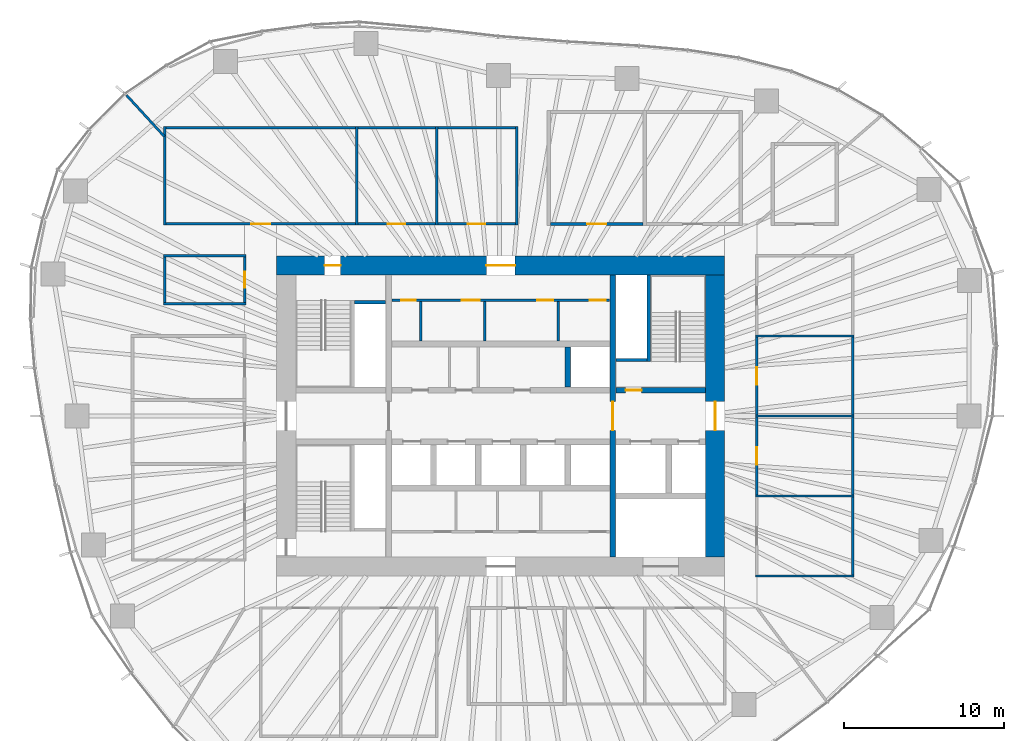
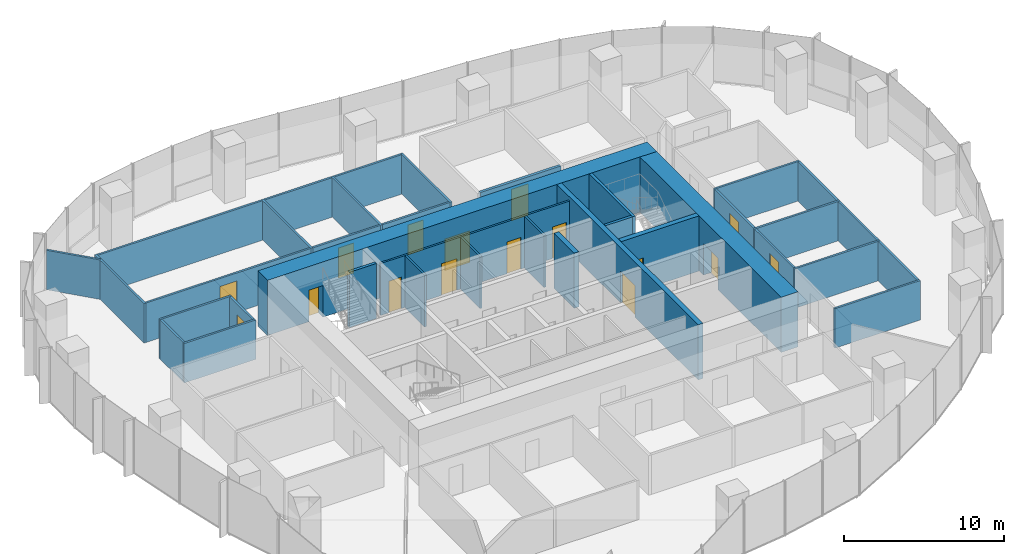
# One storey, part 10 of 18: 37 walls, 16 doors, 16 openings.
"""IFC4 building model written with IfcOpenShell, lengths in metres."""

from ifc_helpers import new_model, si_unit, direction, frame, frame_2d, origin, place, context, subcontext, project, spatial, rectangle, extrude, material, layer, layer_set, type_object, element, fill, save


model = new_model("IFC4")

# Units and contexts
model_context = context("Model", 3, precision=1e-05, world=origin(), true_north=direction((0.0, 1.0)))
body_context = subcontext(model_context, "Body", "Model", "MODEL_VIEW")
ifc_project = project(units=[si_unit("LENGTHUNIT", "METRE"), si_unit("AREAUNIT", "SQUARE_METRE"), si_unit("VOLUMEUNIT", "CUBIC_METRE"), si_unit("PLANEANGLEUNIT", "RADIAN"), si_unit("MASSUNIT", "GRAM", prefix="KILO")], contexts=[model_context])

# Site, building, storey
site_placement = place(None, origin())
site = spatial("IfcSite", under=ifc_project, at=site_placement, CompositionType="ELEMENT")
building_placement = place(site_placement, origin())
building = spatial("IfcBuilding", under=site, at=building_placement, Name="Ghaith Harvest Tower", CompositionType="ELEMENT")
storey_placement = place(building_placement, frame((0.0, 0.0, 126.0)))
storey = spatial("IfcBuildingStorey", under=building, at=storey_placement, Name="L26", CompositionType="ELEMENT", Elevation=126.0)

# Wall, opening, door
ifc_material_1 = material(Name="Twin-stud gypsum board, acoustic", Category="gypsum")
ifc_layer_1 = layer(ifc_material_1, 0.199951171875)
ifc_layer_set_1 = layer_set([ifc_layer_1], Name="ACOUSTIC PARTITION 200")
wall_type_1 = type_object("IfcWallType", Name="ACOUSTIC PARTITION 200", PredefinedType="PARTITIONING", material=ifc_layer_set_1)
wall_1_placement = place(storey_placement, frame((3.10009765625, 12.0, 0.0), z_axis=(0.0, 0.0, 1.0), x_axis=(1.0, 0.0, 0.0)))
wall_1 = element("IfcWall", 1, at=wall_1_placement, inside=storey, type_object=wall_type_1, Name="Partition L26-04", PredefinedType="PARTITIONING", context=body_context, shape_type="SweptSolid", body=[
    extrude(rectangle(XDim=5.7998046875, YDim=0.199951171875, at=frame_2d((2.89990234375, 0.0))), origin(), (0.0, 0.0, 1.0), 3.0),
])
opening_1_placement = place(wall_1_placement, frame((2.300048828125, 0.0, 0.0)))
opening_1 = element("IfcOpeningElement", 2, at=opening_1_placement, cuts=wall_1, Name="Opening 26-031", PredefinedType="OPENING", context=body_context, shape_type="SweptSolid", body=[
    extrude(rectangle(XDim=1.199951171875, YDim=2.39990234375, at=frame_2d((0.60009765625, 1.199951171875))), frame((0.0, 0.10986328125, 0.0), z_axis=(0.0, -1.0, 0.0), x_axis=(1.0, 0.0, 0.0)), (0.0, 0.0, 1.0), 0.219970703125),
])
ifc_material_2 = material(Name="Timber door", Category="wood")
door_type_1 = type_object("IfcDoorType", Name="D11 GLAZED 1200x2400", OperationType="SINGLE_SWING_LEFT", PredefinedType="DOOR", material=ifc_material_2)
door_1_placement = place(opening_1_placement, origin())
door_1 = element("IfcDoor", 3, at=door_1_placement, inside=storey, type_object=door_type_1, Name="Meeting room door", OperationType="SINGLE_SWING_LEFT", OverallHeight=2.39990234375, OverallWidth=1.199951171875, PredefinedType="DOOR", context=body_context, shape_type="SweptSolid", body=[
    extrude(rectangle(XDim=1.199951171875, YDim=2.39990234375, at=frame_2d((0.60009765625, 1.199951171875))), frame((0.0, 0.02490234375, 0.0), z_axis=(0.0, -1.0, 0.0), x_axis=(1.0, 0.0, 0.0)), (0.0, 0.0, 1.0), 0.050048828125),
])
fill(opening_1, door_1)

# Wall, openings, doors
ifc_material_3 = material(Name="Concrete blockwork, fair-faced", Category="masonry")
ifc_layer_2 = layer(ifc_material_3, 0.139892578125)
ifc_layer_set_2 = layer_set([ifc_layer_2], Name="CORE PARTITION 140")
wall_type_2 = type_object("IfcWallType", Name="CORE PARTITION 140", PredefinedType="PARTITIONING", material=ifc_layer_set_2)
wall_2_placement = place(storey_placement, frame((-6.800048828125, 7.22998046875, 0.0), z_axis=(0.0, 0.0, 1.0), x_axis=(1.0, 0.0, 0.0)))
wall_2 = element("IfcWall", 4, at=wall_2_placement, inside=storey, type_object=wall_type_2, Name="Core partition L26", PredefinedType="PARTITIONING", context=body_context, shape_type="SweptSolid", body=[
    extrude(rectangle(XDim=13.60009765625, YDim=0.139892578125, at=frame_2d((6.800048828125, 0.0))), origin(), (0.0, 0.0, 1.0), 3.949951171875),
])
opening_2_placement = place(wall_2_placement, frame((0.580078125, 0.0, 0.0)))
opening_2 = element("IfcOpeningElement", 5, at=opening_2_placement, cuts=wall_2, Name="Opening 26-008", PredefinedType="OPENING", context=body_context, shape_type="SweptSolid", body=[
    extrude(rectangle(XDim=0.89990234375, YDim=2.39990234375, at=frame_2d((0.449951171875, 1.199951171875))), frame((0.0, 0.080078125, 0.0), z_axis=(0.0, -1.0, 0.0), x_axis=(1.0, 0.0, 0.0)), (0.0, 0.0, 1.0), 0.159912109375),
])
opening_3_placement = place(wall_2_placement, frame((4.3798828125, 0.0, 0.0)))
opening_3 = element("IfcOpeningElement", 6, at=opening_3_placement, cuts=wall_2, Name="Opening 26-009", PredefinedType="OPENING", context=body_context, shape_type="SweptSolid", body=[
    extrude(rectangle(XDim=1.10009765625, YDim=2.39990234375, at=frame_2d((0.550048828125, 1.199951171875))), frame((0.0, 0.080078125, 0.0), z_axis=(0.0, -1.0, 0.0), x_axis=(1.0, 0.0, 0.0)), (0.0, 0.0, 1.0), 0.159912109375),
])
opening_4_placement = place(wall_2_placement, frame((9.080078125, 0.0, 0.0)))
opening_4 = element("IfcOpeningElement", 7, at=opening_4_placement, cuts=wall_2, Name="Opening 26-010", PredefinedType="OPENING", context=body_context, shape_type="SweptSolid", body=[
    extrude(rectangle(XDim=1.0, YDim=2.39990234375, at=frame_2d((0.5, 1.199951171875))), frame((0.0, 0.080078125, 0.0), z_axis=(0.0, -1.0, 0.0), x_axis=(1.0, 0.0, 0.0)), (0.0, 0.0, 1.0), 0.159912109375),
])
opening_5_placement = place(wall_2_placement, frame((12.35009765625, 0.0, 0.0)))
opening_5 = element("IfcOpeningElement", 8, at=opening_5_placement, cuts=wall_2, Name="Opening 26-011", PredefinedType="OPENING", context=body_context, shape_type="SweptSolid", body=[
    extrude(rectangle(XDim=1.0, YDim=2.39990234375, at=frame_2d((0.5, 1.199951171875))), frame((0.0, 0.080078125, 0.0), z_axis=(0.0, -1.0, 0.0), x_axis=(1.0, 0.0, 0.0)), (0.0, 0.0, 1.0), 0.159912109375),
])
ifc_material_4 = material(Name="Steel fire door", Category="steel")
door_type_2 = type_object("IfcDoorType", Name="D3 FD90 1000x2400", OperationType="SINGLE_SWING_LEFT", PredefinedType="DOOR", material=ifc_material_4)
door_2_placement = place(opening_4_placement, origin())
door_2 = element("IfcDoor", 9, at=door_2_placement, inside=storey, type_object=door_type_2, Name="Male WC door", OperationType="SINGLE_SWING_RIGHT", OverallHeight=2.39990234375, OverallWidth=1.0, PredefinedType="DOOR", context=body_context, shape_type="SweptSolid", body=[
    extrude(rectangle(XDim=1.0, YDim=2.39990234375, at=frame_2d((0.5, 1.199951171875))), frame((0.0, 0.02490234375, 0.0), z_axis=(0.0, -1.0, 0.0), x_axis=(1.0, 0.0, 0.0)), (0.0, 0.0, 1.0), 0.050048828125),
])
fill(opening_4, door_2)
door_3_placement = place(opening_5_placement, origin())
door_3 = element("IfcDoor", 10, at=door_3_placement, inside=storey, type_object=door_type_2, Name="Female WC door", OperationType="SINGLE_SWING_RIGHT", OverallHeight=2.39990234375, OverallWidth=1.0, PredefinedType="DOOR", context=body_context, shape_type="SweptSolid", body=[
    extrude(rectangle(XDim=1.0, YDim=2.39990234375, at=frame_2d((0.5, 1.199951171875))), frame((0.0, 0.02490234375, 0.0), z_axis=(0.0, -1.0, 0.0), x_axis=(1.0, 0.0, 0.0)), (0.0, 0.0, 1.0), 0.050048828125),
])
fill(opening_5, door_3)
ifc_material_5 = material(Name="Steel fire door", Category="steel")
door_type_3 = type_object("IfcDoorType", Name="D5 FD90 900x2400", OperationType="SINGLE_SWING_LEFT", PredefinedType="DOOR", material=ifc_material_5)
door_4_placement = place(opening_2_placement, origin())
door_4 = element("IfcDoor", 11, at=door_4_placement, inside=storey, type_object=door_type_3, Name="Cleaner's store door", OperationType="SINGLE_SWING_LEFT", OverallHeight=2.39990234375, OverallWidth=0.89990234375, PredefinedType="DOOR", context=body_context, shape_type="SweptSolid", body=[
    extrude(rectangle(XDim=0.89990234375, YDim=2.39990234375, at=frame_2d((0.449951171875, 1.199951171875))), frame((0.0, 0.02490234375, 0.0), z_axis=(0.0, -1.0, 0.0), x_axis=(1.0, 0.0, 0.0)), (0.0, 0.0, 1.0), 0.050048828125),
])
fill(opening_2, door_4)
ifc_material_6 = material(Name="Steel fire door", Category="steel")
door_type_4 = type_object("IfcDoorType", Name="D9 FD90 1100x2400", OperationType="SINGLE_SWING_LEFT", PredefinedType="DOOR", material=ifc_material_6)
door_5_placement = place(opening_3_placement, origin())
door_5 = element("IfcDoor", 12, at=door_5_placement, inside=storey, type_object=door_type_4, Name="Accessible WC door", OperationType="SINGLE_SWING_LEFT", OverallHeight=2.39990234375, OverallWidth=1.10009765625, PredefinedType="DOOR", context=body_context, shape_type="SweptSolid", body=[
    extrude(rectangle(XDim=1.10009765625, YDim=2.39990234375, at=frame_2d((0.550048828125, 1.199951171875))), frame((0.0, 0.02490234375, 0.0), z_axis=(0.0, -1.0, 0.0), x_axis=(1.0, 0.0, 0.0)), (0.0, 0.0, 1.0), 0.050048828125),
])
fill(opening_3, door_5)

# Walls
for number, where, z_axis, x_axis, name in (
    (13, (-5.0, 4.699951171875, 0.0), (0.0, 0.0, 1.0), (0.0, 1.0, 0.0), "Core partition L26"),
    (14, (-1.0, 4.699951171875, 0.0), (0.0, 0.0, 1.0), (0.0, 1.0, 0.0), "Core partition L26"),
    (15, (3.60009765625, 4.699951171875, 0.0), (0.0, 0.0, 1.0), (0.0, 1.0, 0.0), "Core partition L26"),
):
    element("IfcWall", number, at=place(storey_placement, frame(where, z_axis=z_axis, x_axis=x_axis)), inside=storey, type_object=wall_type_2, Name=name, PredefinedType="PARTITIONING", context=body_context, shape_type="SweptSolid", body=[
        extrude(rectangle(XDim=2.4599609375, YDim=0.139892578125, at=frame_2d((1.22998046875, 0.0))), origin(), (0.0, 0.0, 1.0), 3.949951171875),
    ])

# Wall, openings, doors
ifc_material_7 = material(Name="Concrete C60/75", Category="concrete")
ifc_layer_3 = layer(ifc_material_7, 1.199951171875)
ifc_layer_set_3 = layer_set([ifc_layer_3], Name="CORE WALL CW1200 C60")
wall_type_3 = type_object("IfcWallType", Name="CORE WALL CW1200 C60", PredefinedType="SHEAR", material=ifc_layer_set_3)
wall_3_placement = place(storey_placement, frame((14.0, 9.39990234375, 0.0), z_axis=(0.0, 0.0, 1.0), x_axis=(-1.0, 0.0, 0.0)))
wall_3 = element("IfcWall", 16, at=wall_3_placement, inside=storey, type_object=wall_type_3, Name="Core wall N L26", PredefinedType="SHEAR", context=body_context, shape_type="SweptSolid", body=[
    extrude(rectangle(XDim=28.0, YDim=1.199951171875, at=frame_2d((14.0, 0.0))), origin(), (0.0, 0.0, 1.0), 4.199951171875),
])
opening_6_placement = place(wall_3_placement, frame((24.0, 0.0, 0.0)))
opening_6 = element("IfcOpeningElement", 17, at=opening_6_placement, cuts=wall_3, Name="Opening 26-005", PredefinedType="OPENING", context=body_context, shape_type="SweptSolid", body=[
    extrude(rectangle(XDim=1.0, YDim=2.39990234375, at=frame_2d((0.5, 1.199951171875))), frame((0.0, 0.60986328125, 0.0), z_axis=(0.0, -1.0, 0.0), x_axis=(1.0, 0.0, 0.0)), (0.0, 0.0, 1.0), 1.219970703125),
])
opening_7_placement = place(wall_3_placement, frame((13.10009765625, 0.0, 0.0)))
opening_7 = element("IfcOpeningElement", 18, at=opening_7_placement, cuts=wall_3, Name="Opening 26-019", PredefinedType="OPENING", context=body_context, shape_type="SweptSolid", body=[
    extrude(rectangle(XDim=1.800048828125, YDim=2.39990234375, at=frame_2d((0.89990234375, 1.199951171875))), frame((0.0, 0.60986328125, 0.0), z_axis=(0.0, -1.0, 0.0), x_axis=(1.0, 0.0, 0.0)), (0.0, 0.0, 1.0), 1.219970703125),
])
door_6_placement = place(opening_6_placement, origin())
door_6 = element("IfcDoor", 19, at=door_6_placement, inside=storey, type_object=door_type_2, Name="Stair ST1 door", OperationType="SINGLE_SWING_RIGHT", OverallHeight=2.39990234375, OverallWidth=1.0, PredefinedType="DOOR", context=body_context, shape_type="SweptSolid", body=[
    extrude(rectangle(XDim=1.0, YDim=2.39990234375, at=frame_2d((0.5, 1.199951171875))), frame((0.0, 0.02490234375, 0.0), z_axis=(0.0, -1.0, 0.0), x_axis=(1.0, 0.0, 0.0)), (0.0, 0.0, 1.0), 0.050048828125),
])
fill(opening_6, door_6)
ifc_material_8 = material(Name="Steel fire door", Category="steel")
door_type_5 = type_object("IfcDoorType", Name="D4 FD90 PAIR 1800x2400", OperationType="DOUBLE_DOOR_SINGLE_SWING", PredefinedType="DOOR", material=ifc_material_8)
door_7_placement = place(opening_7_placement, origin())
door_7 = element("IfcDoor", 20, at=door_7_placement, inside=storey, type_object=door_type_5, Name="Core service corridor doors", OperationType="DOUBLE_DOOR_SINGLE_SWING", OverallHeight=2.39990234375, OverallWidth=1.800048828125, PredefinedType="DOOR", context=body_context, shape_type="SweptSolid", body=[
    extrude(rectangle(XDim=1.800048828125, YDim=2.39990234375, at=frame_2d((0.89990234375, 1.199951171875))), frame((0.0, 0.02490234375, 0.0), z_axis=(0.0, -1.0, 0.0), x_axis=(1.0, 0.0, 0.0)), (0.0, 0.0, 1.0), 0.050048828125),
])
fill(opening_7, door_7)

# Wall, opening, door
wall_4_placement = place(storey_placement, frame((13.39990234375, -8.800048828125, 0.0), z_axis=(0.0, 0.0, 1.0), x_axis=(0.0, 1.0, 0.0)))
wall_4 = element("IfcWall", 21, at=wall_4_placement, inside=storey, type_object=wall_type_3, Name="Core wall E L26", PredefinedType="SHEAR", context=body_context, shape_type="SweptSolid", body=[
    extrude(rectangle(XDim=17.60009765625, YDim=1.199951171875, at=frame_2d((8.800048828125, 0.0))), origin(), (0.0, 0.0, 1.0), 4.199951171875),
])
opening_8_placement = place(wall_4_placement, frame((7.89990234375, 0.0, 0.0)))
opening_8 = element("IfcOpeningElement", 22, at=opening_8_placement, cuts=wall_4, Name="Opening 26-002", PredefinedType="OPENING", context=body_context, shape_type="SweptSolid", body=[
    extrude(rectangle(XDim=1.800048828125, YDim=2.39990234375, at=frame_2d((0.89990234375, 1.199951171875))), frame((0.0, 0.60986328125, 0.0), z_axis=(0.0, -1.0, 0.0), x_axis=(1.0, 0.0, 0.0)), (0.0, 0.0, 1.0), 1.219970703125),
])
door_8_placement = place(opening_8_placement, origin())
door_8 = element("IfcDoor", 23, at=door_8_placement, inside=storey, type_object=door_type_5, Name="Fire-fighting lobby doors", OperationType="DOUBLE_DOOR_SINGLE_SWING", OverallHeight=2.39990234375, OverallWidth=1.800048828125, PredefinedType="DOOR", context=body_context, shape_type="SweptSolid", body=[
    extrude(rectangle(XDim=1.800048828125, YDim=2.39990234375, at=frame_2d((0.89990234375, 1.199951171875))), frame((0.0, 0.02490234375, 0.0), z_axis=(0.0, -1.0, 0.0), x_axis=(1.0, 0.0, 0.0)), (0.0, 0.0, 1.0), 0.050048828125),
])
fill(opening_8, door_8)

# Walls
ifc_material_9 = material(Name="Gypsum board on steel studs", Category="steel")
ifc_layer_4 = layer(ifc_material_9, 0.14990234375)
ifc_layer_set_4 = layer_set([ifc_layer_4], Name="PARTITION 150")
wall_type_4 = type_object("IfcWallType", Name="PARTITION 150", PredefinedType="PARTITIONING", material=ifc_layer_set_4)
for number, where, z_axis, x_axis, name in (
    (24, (-21.0, 11.925048828125, 0.0), (0.0, 0.0, 1.0), (0.0, 1.0, 0.0), "Partition L26 row N1 cross wall 1"),
    (25, (-9.0, 11.925048828125, 0.0), (0.0, 0.0, 1.0), (0.0, 1.0, 0.0), "Partition L26 row N1 cross wall 2"),
    (26, (-4.0, 11.925048828125, 0.0), (0.0, 0.0, 1.0), (0.0, 1.0, 0.0), "Partition L26 row N1 cross wall 3"),
    (27, (1.0, 11.925048828125, 0.0), (0.0, 0.0, 1.0), (0.0, 1.0, 0.0), "Partition L26 row N1 cross wall 4"),
):
    element("IfcWall", number, at=place(storey_placement, frame(where, z_axis=z_axis, x_axis=x_axis)), inside=storey, type_object=wall_type_4, Name=name, PredefinedType="PARTITIONING", context=body_context, shape_type="SweptSolid", body=[
        extrude(rectangle(XDim=6.14990234375, YDim=0.14990234375, at=frame_2d((3.074951171875, 0.0))), origin(), (0.0, 0.0, 1.0), 3.0),
    ])

# Wall, opening, door
wall_5_placement = place(storey_placement, frame((-20.925048828125, 12.0, 0.0), z_axis=(0.0, 0.0, 1.0), x_axis=(1.0, 0.0, 0.0)))
wall_5 = element("IfcWall", 28, at=wall_5_placement, inside=storey, type_object=wall_type_4, Name="Partition L26-01", PredefinedType="PARTITIONING", context=body_context, shape_type="SweptSolid", body=[
    extrude(rectangle(XDim=11.85009765625, YDim=0.14990234375, at=frame_2d((5.925048828125, 0.0))), origin(), (0.0, 0.0, 1.0), 3.0),
])
opening_9_placement = place(wall_5_placement, frame((5.324951171875, 0.0, 0.0)))
opening_9 = element("IfcOpeningElement", 29, at=opening_9_placement, cuts=wall_5, Name="Opening 26-028", PredefinedType="OPENING", context=body_context, shape_type="SweptSolid", body=[
    extrude(rectangle(XDim=1.199951171875, YDim=2.39990234375, at=frame_2d((0.60009765625, 1.199951171875))), frame((0.0, 0.0849609375, 0.0), z_axis=(0.0, -1.0, 0.0), x_axis=(1.0, 0.0, 0.0)), (0.0, 0.0, 1.0), 0.169921875),
])
door_9_placement = place(opening_9_placement, origin())
door_9 = element("IfcDoor", 30, at=door_9_placement, inside=storey, type_object=door_type_1, Name="Operations room door", OperationType="SINGLE_SWING_LEFT", OverallHeight=2.39990234375, OverallWidth=1.199951171875, PredefinedType="DOOR", context=body_context, shape_type="SweptSolid", body=[
    extrude(rectangle(XDim=1.199951171875, YDim=2.39990234375, at=frame_2d((0.60009765625, 1.199951171875))), frame((0.0, 0.02490234375, 0.0), z_axis=(0.0, -1.0, 0.0), x_axis=(1.0, 0.0, 0.0)), (0.0, 0.0, 1.0), 0.050048828125),
])
fill(opening_9, door_9)

# Wall
wall_6_placement = place(storey_placement, frame((-20.925048828125, 18.0, 0.0), z_axis=(0.0, 0.0, 1.0), x_axis=(1.0, 0.0, 0.0)))
element("IfcWall", 31, at=wall_6_placement, inside=storey, type_object=wall_type_4, Name="Partition L26-01", PredefinedType="PARTITIONING", context=body_context, shape_type="SweptSolid", body=[
    extrude(rectangle(XDim=11.85009765625, YDim=0.14990234375, at=frame_2d((5.925048828125, 0.0))), origin(), (0.0, 0.0, 1.0), 3.0),
])

# Wall, opening, door
wall_7_placement = place(storey_placement, frame((-8.925048828125, 12.0, 0.0), z_axis=(0.0, 0.0, 1.0), x_axis=(1.0, 0.0, 0.0)))
wall_7 = element("IfcWall", 32, at=wall_7_placement, inside=storey, type_object=wall_type_4, Name="Partition L26-02", PredefinedType="PARTITIONING", context=body_context, shape_type="SweptSolid", body=[
    extrude(rectangle(XDim=4.85009765625, YDim=0.14990234375, at=frame_2d((2.425048828125, 0.0))), origin(), (0.0, 0.0, 1.0), 3.0),
])
opening_10_placement = place(wall_7_placement, frame((1.875, 0.0, 0.0)))
opening_10 = element("IfcOpeningElement", 33, at=opening_10_placement, cuts=wall_7, Name="Opening 26-029", PredefinedType="OPENING", context=body_context, shape_type="SweptSolid", body=[
    extrude(rectangle(XDim=1.10009765625, YDim=2.300048828125, at=frame_2d((0.550048828125, 1.14990234375))), frame((0.0, 0.0849609375, 0.0), z_axis=(0.0, -1.0, 0.0), x_axis=(1.0, 0.0, 0.0)), (0.0, 0.0, 1.0), 0.169921875),
])
ifc_material_10 = material(Name="Timber-framed glazed door", Category="wood")
door_type_6 = type_object("IfcDoorType", Name="D12 GLAZED OFFICE 1100x2300", OperationType="SINGLE_SWING_LEFT", PredefinedType="DOOR", material=ifc_material_10)
door_10_placement = place(opening_10_placement, origin())
door_10 = element("IfcDoor", 34, at=door_10_placement, inside=storey, type_object=door_type_6, Name="Office door", OperationType="SINGLE_SWING_LEFT", OverallHeight=2.300048828125, OverallWidth=1.10009765625, PredefinedType="DOOR", context=body_context, shape_type="SweptSolid", body=[
    extrude(rectangle(XDim=1.10009765625, YDim=2.300048828125, at=frame_2d((0.550048828125, 1.14990234375))), frame((0.0, 0.02490234375, 0.0), z_axis=(0.0, -1.0, 0.0), x_axis=(1.0, 0.0, 0.0)), (0.0, 0.0, 1.0), 0.050048828125),
])
fill(opening_10, door_10)

# Wall
wall_8_placement = place(storey_placement, frame((-8.925048828125, 18.0, 0.0), z_axis=(0.0, 0.0, 1.0), x_axis=(1.0, 0.0, 0.0)))
element("IfcWall", 35, at=wall_8_placement, inside=storey, type_object=wall_type_4, Name="Partition L26-02", PredefinedType="PARTITIONING", context=body_context, shape_type="SweptSolid", body=[
    extrude(rectangle(XDim=4.85009765625, YDim=0.14990234375, at=frame_2d((2.425048828125, 0.0))), origin(), (0.0, 0.0, 1.0), 3.0),
])

# Wall, opening, door
wall_9_placement = place(storey_placement, frame((-3.925048828125, 12.0, 0.0), z_axis=(0.0, 0.0, 1.0), x_axis=(1.0, 0.0, 0.0)))
wall_9 = element("IfcWall", 36, at=wall_9_placement, inside=storey, type_object=wall_type_4, Name="Partition L26-03", PredefinedType="PARTITIONING", context=body_context, shape_type="SweptSolid", body=[
    extrude(rectangle(XDim=4.85009765625, YDim=0.14990234375, at=frame_2d((2.425048828125, 0.0))), origin(), (0.0, 0.0, 1.0), 3.0),
])
opening_11_placement = place(wall_9_placement, frame((1.875, 0.0, 0.0)))
opening_11 = element("IfcOpeningElement", 37, at=opening_11_placement, cuts=wall_9, Name="Opening 26-030", PredefinedType="OPENING", context=body_context, shape_type="SweptSolid", body=[
    extrude(rectangle(XDim=1.10009765625, YDim=2.300048828125, at=frame_2d((0.550048828125, 1.14990234375))), frame((0.0, 0.0849609375, 0.0), z_axis=(0.0, -1.0, 0.0), x_axis=(1.0, 0.0, 0.0)), (0.0, 0.0, 1.0), 0.169921875),
])
door_11_placement = place(opening_11_placement, origin())
door_11 = element("IfcDoor", 38, at=door_11_placement, inside=storey, type_object=door_type_6, Name="Office door", OperationType="SINGLE_SWING_LEFT", OverallHeight=2.300048828125, OverallWidth=1.10009765625, PredefinedType="DOOR", context=body_context, shape_type="SweptSolid", body=[
    extrude(rectangle(XDim=1.10009765625, YDim=2.300048828125, at=frame_2d((0.550048828125, 1.14990234375))), frame((0.0, 0.02490234375, 0.0), z_axis=(0.0, -1.0, 0.0), x_axis=(1.0, 0.0, 0.0)), (0.0, 0.0, 1.0), 0.050048828125),
])
fill(opening_11, door_11)

# Walls
wall_10_placement = place(storey_placement, frame((-3.925048828125, 18.0, 0.0), z_axis=(0.0, 0.0, 1.0), x_axis=(1.0, 0.0, 0.0)))
element("IfcWall", 39, at=wall_10_placement, inside=storey, type_object=wall_type_4, Name="Partition L26-03", PredefinedType="PARTITIONING", context=body_context, shape_type="SweptSolid", body=[
    extrude(rectangle(XDim=4.85009765625, YDim=0.14990234375, at=frame_2d((2.425048828125, 0.0))), origin(), (0.0, 0.0, 1.0), 3.0),
])
for number, where, z_axis, x_axis, name in (
    (40, (15.925048828125, -10.0, 0.0), (0.0, 0.0, 1.0), (1.0, 0.0, 0.0), "Partition L26 row E3 cross wall 1"),
    (41, (15.925048828125, -5.0, 0.0), (0.0, 0.0, 1.0), (1.0, 0.0, 0.0), "Partition L26 row E3 cross wall 2"),
    (42, (15.925048828125, 0.0, 0.0), (0.0, 0.0, 1.0), (1.0, 0.0, 0.0), "Partition L26 row E3 cross wall 3"),
    (43, (15.925048828125, 5.0, 0.0), (0.0, 0.0, 1.0), (1.0, 0.0, 0.0), "Partition L26 row E3 cross wall 4"),
):
    element("IfcWall", number, at=place(storey_placement, frame(where, z_axis=z_axis, x_axis=x_axis)), inside=storey, type_object=wall_type_4, Name=name, PredefinedType="PARTITIONING", context=body_context, shape_type="SweptSolid", body=[
        extrude(rectangle(XDim=6.14990234375, YDim=0.14990234375, at=frame_2d((3.074951171875, 0.0))), origin(), (0.0, 0.0, 1.0), 3.0),
    ])
wall_11_placement = place(storey_placement, frame((22.0, -9.925048828125, 0.0), z_axis=(0.0, 0.0, 1.0), x_axis=(0.0, 1.0, 0.0)))
element("IfcWall", 44, at=wall_11_placement, inside=storey, type_object=wall_type_4, Name="Partition L26-06", PredefinedType="PARTITIONING", context=body_context, shape_type="SweptSolid", body=[
    extrude(rectangle(XDim=4.85009765625, YDim=0.14990234375, at=frame_2d((2.425048828125, 0.0))), origin(), (0.0, 0.0, 1.0), 3.0),
])

# Wall, opening, door
wall_12_placement = place(storey_placement, frame((16.0, -4.925048828125, 0.0), z_axis=(0.0, 0.0, 1.0), x_axis=(0.0, 1.0, 0.0)))
wall_12 = element("IfcWall", 45, at=wall_12_placement, inside=storey, type_object=wall_type_4, Name="Partition L26-07", PredefinedType="PARTITIONING", context=body_context, shape_type="SweptSolid", body=[
    extrude(rectangle(XDim=4.85009765625, YDim=0.14990234375, at=frame_2d((2.425048828125, 0.0))), origin(), (0.0, 0.0, 1.0), 3.0),
])
opening_12_placement = place(wall_12_placement, frame((1.875, 0.0, 0.0)))
opening_12 = element("IfcOpeningElement", 46, at=opening_12_placement, cuts=wall_12, Name="Opening 26-034", PredefinedType="OPENING", context=body_context, shape_type="SweptSolid", body=[
    extrude(rectangle(XDim=1.10009765625, YDim=2.300048828125, at=frame_2d((0.550048828125, 1.14990234375))), frame((0.0, 0.0849609375, 0.0), z_axis=(0.0, -1.0, 0.0), x_axis=(1.0, 0.0, 0.0)), (0.0, 0.0, 1.0), 0.169921875),
])
door_12_placement = place(opening_12_placement, origin())
door_12 = element("IfcDoor", 47, at=door_12_placement, inside=storey, type_object=door_type_6, Name="Office door", OperationType="SINGLE_SWING_LEFT", OverallHeight=2.300048828125, OverallWidth=1.10009765625, PredefinedType="DOOR", context=body_context, shape_type="SweptSolid", body=[
    extrude(rectangle(XDim=1.10009765625, YDim=2.300048828125, at=frame_2d((0.550048828125, 1.14990234375))), frame((0.0, 0.02490234375, 0.0), z_axis=(0.0, -1.0, 0.0), x_axis=(1.0, 0.0, 0.0)), (0.0, 0.0, 1.0), 0.050048828125),
])
fill(opening_12, door_12)

# Wall
wall_13_placement = place(storey_placement, frame((22.0, -4.925048828125, 0.0), z_axis=(0.0, 0.0, 1.0), x_axis=(0.0, 1.0, 0.0)))
element("IfcWall", 48, at=wall_13_placement, inside=storey, type_object=wall_type_4, Name="Partition L26-07", PredefinedType="PARTITIONING", context=body_context, shape_type="SweptSolid", body=[
    extrude(rectangle(XDim=4.85009765625, YDim=0.14990234375, at=frame_2d((2.425048828125, 0.0))), origin(), (0.0, 0.0, 1.0), 3.0),
])

# Wall, opening, door
wall_14_placement = place(storey_placement, frame((16.0, 0.074951171875, 0.0), z_axis=(0.0, 0.0, 1.0), x_axis=(0.0, 1.0, 0.0)))
wall_14 = element("IfcWall", 49, at=wall_14_placement, inside=storey, type_object=wall_type_4, Name="Partition L26-08", PredefinedType="PARTITIONING", context=body_context, shape_type="SweptSolid", body=[
    extrude(rectangle(XDim=4.85009765625, YDim=0.14990234375, at=frame_2d((2.425048828125, 0.0))), origin(), (0.0, 0.0, 1.0), 3.0),
])
opening_13_placement = place(wall_14_placement, frame((1.875, 0.0, 0.0)))
opening_13 = element("IfcOpeningElement", 50, at=opening_13_placement, cuts=wall_14, Name="Opening 26-035", PredefinedType="OPENING", context=body_context, shape_type="SweptSolid", body=[
    extrude(rectangle(XDim=1.10009765625, YDim=2.300048828125, at=frame_2d((0.550048828125, 1.14990234375))), frame((0.0, 0.0849609375, 0.0), z_axis=(0.0, -1.0, 0.0), x_axis=(1.0, 0.0, 0.0)), (0.0, 0.0, 1.0), 0.169921875),
])
door_13_placement = place(opening_13_placement, origin())
door_13 = element("IfcDoor", 51, at=door_13_placement, inside=storey, type_object=door_type_6, Name="Office door", OperationType="SINGLE_SWING_LEFT", OverallHeight=2.300048828125, OverallWidth=1.10009765625, PredefinedType="DOOR", context=body_context, shape_type="SweptSolid", body=[
    extrude(rectangle(XDim=1.10009765625, YDim=2.300048828125, at=frame_2d((0.550048828125, 1.14990234375))), frame((0.0, 0.02490234375, 0.0), z_axis=(0.0, -1.0, 0.0), x_axis=(1.0, 0.0, 0.0)), (0.0, 0.0, 1.0), 0.050048828125),
])
fill(opening_13, door_13)

# Walls
wall_15_placement = place(storey_placement, frame((22.0, 0.074951171875, 0.0), z_axis=(0.0, 0.0, 1.0), x_axis=(0.0, 1.0, 0.0)))
element("IfcWall", 52, at=wall_15_placement, inside=storey, type_object=wall_type_4, Name="Partition L26-08", PredefinedType="PARTITIONING", context=body_context, shape_type="SweptSolid", body=[
    extrude(rectangle(XDim=4.85009765625, YDim=0.14990234375, at=frame_2d((2.425048828125, 0.0))), origin(), (0.0, 0.0, 1.0), 3.0),
])
for number, where, z_axis, x_axis, name in (
    (53, (-15.925048828125, 7.0, 0.0), (0.0, 0.0, 1.0), (-1.0, 0.0, 0.0), "Partition L26 row W8 cross wall 1"),
    (54, (-15.925048828125, 10.0, 0.0), (0.0, 0.0, 1.0), (-1.0, 0.0, 0.0), "Partition L26 row W8 cross wall 2"),
):
    element("IfcWall", number, at=place(storey_placement, frame(where, z_axis=z_axis, x_axis=x_axis)), inside=storey, type_object=wall_type_4, Name=name, PredefinedType="PARTITIONING", context=body_context, shape_type="SweptSolid", body=[
        extrude(rectangle(XDim=5.14990234375, YDim=0.14990234375, at=frame_2d((2.574951171875, 0.0))), origin(), (0.0, 0.0, 1.0), 3.0),
    ])

# Wall, opening, door
wall_16_placement = place(storey_placement, frame((-16.0, 7.074951171875, 0.0), z_axis=(0.0, 0.0, 1.0), x_axis=(0.0, 1.0, 0.0)))
wall_16 = element("IfcWall", 55, at=wall_16_placement, inside=storey, type_object=wall_type_4, Name="Partition L26-19", PredefinedType="PARTITIONING", context=body_context, shape_type="SweptSolid", body=[
    extrude(rectangle(XDim=2.85009765625, YDim=0.14990234375, at=frame_2d((1.425048828125, 0.0))), origin(), (0.0, 0.0, 1.0), 3.0),
])
opening_14_placement = place(wall_16_placement, frame((0.925048828125, 0.0, 0.0)))
opening_14 = element("IfcOpeningElement", 56, at=opening_14_placement, cuts=wall_16, Name="Opening 26-046", PredefinedType="OPENING", context=body_context, shape_type="SweptSolid", body=[
    extrude(rectangle(XDim=1.0, YDim=2.199951171875, at=frame_2d((0.5, 1.10009765625))), frame((0.0, 0.0849609375, 0.0), z_axis=(0.0, -1.0, 0.0), x_axis=(1.0, 0.0, 0.0)), (0.0, 0.0, 1.0), 0.169921875),
])
ifc_material_11 = material(Name="Timber door", Category="wood")
door_type_7 = type_object("IfcDoorType", Name="D1 SINGLE 1000x2200", OperationType="SINGLE_SWING_LEFT", PredefinedType="DOOR", material=ifc_material_11)
door_14_placement = place(opening_14_placement, origin())
door_14 = element("IfcDoor", 57, at=door_14_placement, inside=storey, type_object=door_type_7, Name="Store door", OperationType="SINGLE_SWING_LEFT", OverallHeight=2.199951171875, OverallWidth=1.0, PredefinedType="DOOR", context=body_context, shape_type="SweptSolid", body=[
    extrude(rectangle(XDim=1.0, YDim=2.199951171875, at=frame_2d((0.5, 1.10009765625))), frame((0.0, 0.02490234375, 0.0), z_axis=(0.0, -1.0, 0.0), x_axis=(1.0, 0.0, 0.0)), (0.0, 0.0, 1.0), 0.050048828125),
])
fill(opening_14, door_14)

# Walls
wall_17_placement = place(storey_placement, frame((-21.0, 7.074951171875, 0.0), z_axis=(0.0, 0.0, 1.0), x_axis=(0.0, 1.0, 0.0)))
element("IfcWall", 58, at=wall_17_placement, inside=storey, type_object=wall_type_4, Name="Partition L26-19", PredefinedType="PARTITIONING", context=body_context, shape_type="SweptSolid", body=[
    extrude(rectangle(XDim=2.85009765625, YDim=0.14990234375, at=frame_2d((1.425048828125, 0.0))), origin(), (0.0, 0.0, 1.0), 3.0),
])
wall_18_placement = place(storey_placement, frame((-21.02001953125, 17.4697265625, 0.0), z_axis=(0.0, 0.0, 1.0), x_axis=(-0.67615762792, 0.736756989927, 0.0)))
element("IfcWall", 59, at=wall_18_placement, inside=storey, type_object=wall_type_4, Name="Partition L26 zone division", PredefinedType="PARTITIONING", context=body_context, shape_type="SweptSolid", body=[
    extrude(rectangle(XDim=3.4970703125, YDim=0.14990234375, at=frame_2d((1.74853515625, 0.0))), origin(), (0.0, 0.0, 1.0), 3.0),
])

# Wall, opening, door
ifc_material_12 = material(Name="Concrete C60/75", Category="concrete")
ifc_layer_5 = layer(ifc_material_12, 0.35009765625)
ifc_layer_set_5 = layer_set([ifc_layer_5], Name="SHAFT WALL 350")
wall_type_5 = type_object("IfcWallType", Name="SHAFT WALL 350", PredefinedType="SHEAR", material=ifc_layer_set_5)
wall_19_placement = place(storey_placement, frame((7.0, -8.800048828125, 0.0), z_axis=(0.0, 0.0, 1.0), x_axis=(0.0, 1.0, 0.0)))
wall_19 = element("IfcWall", 60, at=wall_19_placement, inside=storey, type_object=wall_type_5, Name="Shaft wall W7E L26", PredefinedType="SHEAR", context=body_context, shape_type="SweptSolid", body=[
    extrude(rectangle(XDim=17.60009765625, YDim=0.35009765625, at=frame_2d((8.800048828125, 0.0))), origin(), (0.0, 0.0, 1.0), 4.199951171875),
])
opening_15_placement = place(wall_19_placement, frame((7.89990234375, 0.0, 0.0)))
opening_15 = element("IfcOpeningElement", 61, at=opening_15_placement, cuts=wall_19, Name="Opening 26-004", PredefinedType="OPENING", context=body_context, shape_type="SweptSolid", body=[
    extrude(rectangle(XDim=1.800048828125, YDim=2.39990234375, at=frame_2d((0.89990234375, 1.199951171875))), frame((0.0, 0.18505859375, 0.0), z_axis=(0.0, -1.0, 0.0), x_axis=(1.0, 0.0, 0.0)), (0.0, 0.0, 1.0), 0.3701171875),
])
door_15_placement = place(opening_15_placement, origin())
door_15 = element("IfcDoor", 62, at=door_15_placement, inside=storey, type_object=door_type_5, Name="Lift lobby doors, east", OperationType="DOUBLE_DOOR_SINGLE_SWING", OverallHeight=2.39990234375, OverallWidth=1.800048828125, PredefinedType="DOOR", context=body_context, shape_type="SweptSolid", body=[
    extrude(rectangle(XDim=1.800048828125, YDim=2.39990234375, at=frame_2d((0.89990234375, 1.199951171875))), frame((0.0, 0.02490234375, 0.0), z_axis=(0.0, -1.0, 0.0), x_axis=(1.0, 0.0, 0.0)), (0.0, 0.0, 1.0), 0.050048828125),
])
fill(opening_15, door_15)

wall_20_placement = place(storey_placement, frame((7.199951171875, 1.60009765625, 0.0), z_axis=(0.0, 0.0, 1.0), x_axis=(1.0, 0.0, 0.0)))
wall_20 = element("IfcWall", 63, at=wall_20_placement, inside=storey, type_object=wall_type_5, Name="Shaft wall EN L26", PredefinedType="SHEAR", context=body_context, shape_type="SweptSolid", body=[
    extrude(rectangle(XDim=5.60009765625, YDim=0.35009765625, at=frame_2d((2.800048828125, 0.0))), origin(), (0.0, 0.0, 1.0), 4.199951171875),
])
opening_16_placement = place(wall_20_placement, frame((0.60009765625, 0.0, 0.0)))
opening_16 = element("IfcOpeningElement", 64, at=opening_16_placement, cuts=wall_20, Name="Opening 26-007", PredefinedType="OPENING", context=body_context, shape_type="SweptSolid", body=[
    extrude(rectangle(XDim=1.0, YDim=2.39990234375, at=frame_2d((0.5, 1.199951171875))), frame((0.0, 0.18505859375, 0.0), z_axis=(0.0, -1.0, 0.0), x_axis=(1.0, 0.0, 0.0)), (0.0, 0.0, 1.0), 0.3701171875),
])
door_16_placement = place(opening_16_placement, origin())
door_16 = element("IfcDoor", 65, at=door_16_placement, inside=storey, type_object=door_type_2, Name="Stair ST2 door", OperationType="SINGLE_SWING_LEFT", OverallHeight=2.39990234375, OverallWidth=1.0, PredefinedType="DOOR", context=body_context, shape_type="SweptSolid", body=[
    extrude(rectangle(XDim=1.0, YDim=2.39990234375, at=frame_2d((0.5, 1.199951171875))), frame((0.0, 0.02490234375, 0.0), z_axis=(0.0, -1.0, 0.0), x_axis=(1.0, 0.0, 0.0)), (0.0, 0.0, 1.0), 0.050048828125),
])
fill(opening_16, door_16)

# Walls
wall_21_placement = place(storey_placement, frame((4.199951171875, 1.800048828125, 0.0), z_axis=(0.0, 0.0, 1.0), x_axis=(0.0, 1.0, 0.0)))
element("IfcWall", 66, at=wall_21_placement, inside=storey, type_object=wall_type_5, Name="Shaft wall DN4 L26", PredefinedType="SHEAR", context=body_context, shape_type="SweptSolid", body=[
    extrude(rectangle(XDim=2.5, YDim=0.35009765625, at=frame_2d((1.25, 0.0))), origin(), (0.0, 0.0, 1.0), 4.199951171875),
])
ifc_material_13 = material(Name="Concrete C40/50", Category="concrete")
ifc_layer_6 = layer(ifc_material_13, 0.199951171875)
ifc_layer_set_6 = layer_set([ifc_layer_6], Name="STAIR SPINE WALL RC200")
wall_type_6 = type_object("IfcWallType", Name="STAIR SPINE WALL RC200", PredefinedType="SOLIDWALL", material=ifc_layer_set_6)
wall_22_placement = place(storey_placement, frame((-9.14990234375, 7.10009765625, 0.0), z_axis=(0.0, 0.0, 1.0), x_axis=(1.0, 0.0, 0.0)))
element("IfcWall", 67, at=wall_22_placement, inside=storey, type_object=wall_type_6, Name="Stair ST1 spine wall return L26", PredefinedType="SOLIDWALL", context=body_context, shape_type="SweptSolid", body=[
    extrude(rectangle(XDim=1.949951171875, YDim=0.199951171875, at=frame_2d((0.97509765625, 0.0))), origin(), (0.0, 0.0, 1.0), 4.199951171875),
])
wall_23_placement = place(storey_placement, frame((9.25, 3.39990234375, 0.0), z_axis=(0.0, 0.0, 1.0), x_axis=(0.0, 1.0, 0.0)))
element("IfcWall", 68, at=wall_23_placement, inside=storey, type_object=wall_type_6, Name="Stair ST2 spine wall L26", PredefinedType="SOLIDWALL", context=body_context, shape_type="SweptSolid", body=[
    extrude(rectangle(XDim=5.400146484375, YDim=0.199951171875, at=frame_2d((2.7001953125, 0.0))), origin(), (0.0, 0.0, 1.0), 4.199951171875),
])
wall_24_placement = place(storey_placement, frame((9.14990234375, 3.5, 0.0), z_axis=(0.0, 0.0, 1.0), x_axis=(-1.0, 0.0, 0.0)))
element("IfcWall", 69, at=wall_24_placement, inside=storey, type_object=wall_type_6, Name="Stair ST2 spine wall return L26", PredefinedType="SOLIDWALL", context=body_context, shape_type="SweptSolid", body=[
    extrude(rectangle(XDim=1.949951171875, YDim=0.199951171875, at=frame_2d((0.97509765625, 0.0))), origin(), (0.0, 0.0, 1.0), 4.199951171875),
])

save(model, "model.ifc")
